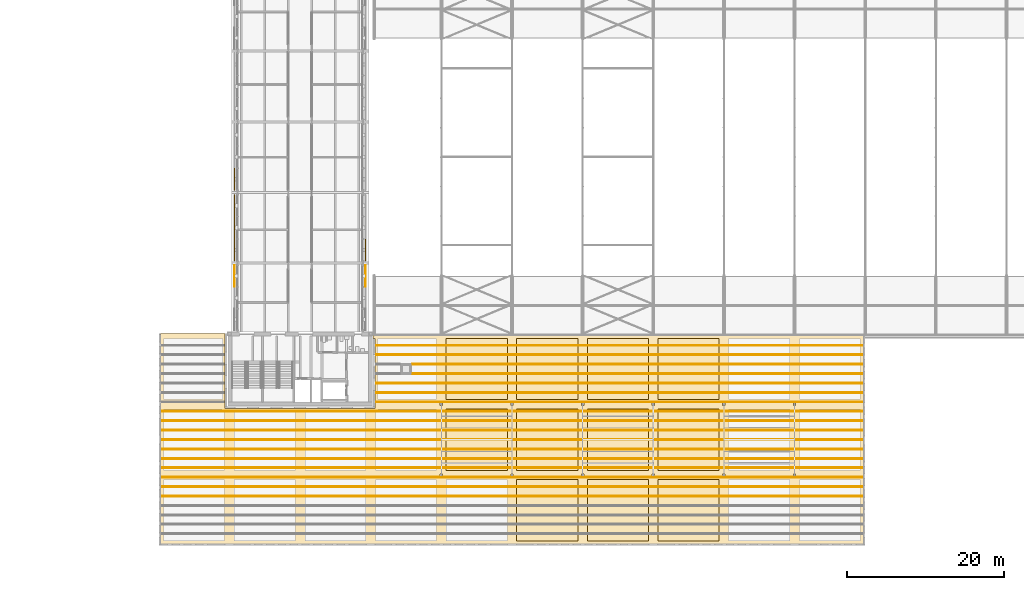
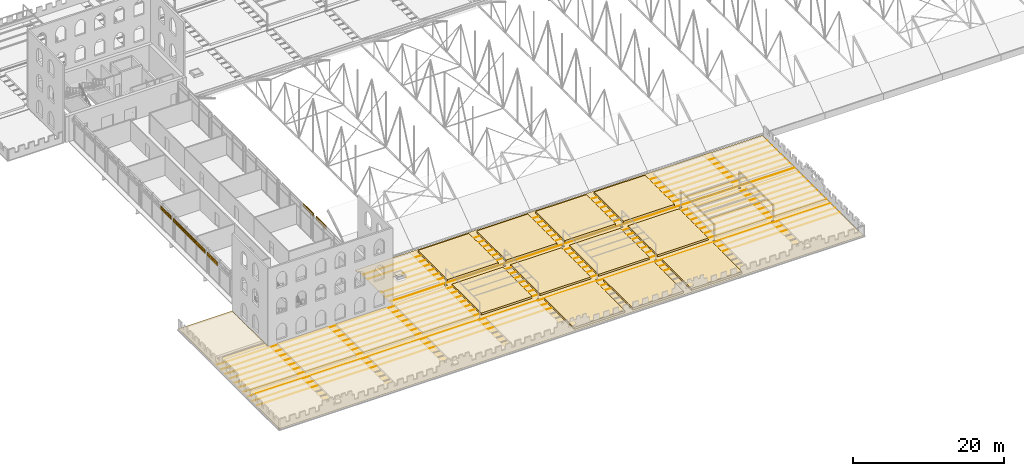
# One storey, part 138 of 153: 29 coverings, 7 shading devices.
"""IFC4 building model written with IfcOpenShell, lengths in metres."""

from ifc_helpers import new_model, si_unit, direction, frame, origin, place, context, subcontext, project, spatial, polyline, outline, extrude, material, layer, layer_set, type_object, element, save


model = new_model("IFC4")

# Units and contexts
model_context = context("Model", 3, precision=1e-05, world=origin(), true_north=direction((0.0, 1.0)))
body_context = subcontext(model_context, "Body", "Model", "MODEL_VIEW")
ifc_project = project(units=[si_unit("LENGTHUNIT", "METRE"), si_unit("AREAUNIT", "SQUARE_METRE"), si_unit("VOLUMEUNIT", "CUBIC_METRE"), si_unit("PLANEANGLEUNIT", "RADIAN"), si_unit("MASSUNIT", "GRAM", prefix="KILO")], contexts=[model_context])

# Site, building, storey
site_placement = place(None, origin())
site = spatial("IfcSite", under=ifc_project, at=site_placement, CompositionType="ELEMENT")
building_placement = place(site_placement, origin())
building = spatial("IfcBuilding", under=site, at=building_placement, Name="Baradari Gate Terminus", CompositionType="ELEMENT")
storey_placement = place(building_placement, frame((0.0, 0.0, 11.699951171875)))
storey = spatial("IfcBuildingStorey", under=building, at=storey_placement, Name="L02", CompositionType="ELEMENT", Elevation=11.699951171875)

# Shading devices
ifc_material_1 = material(Name="Concrete C50/60 precast", Category="concrete")
ifc_layer_1 = layer(ifc_material_1, 0.080078125)
ifc_layer_set_1 = layer_set([ifc_layer_1], Name="Concrete C50/60 precast")
shading_device_type = type_object("IfcShadingDeviceType", Name="Jali screen panel JS-3 80", PredefinedType="SHUTTER", material=ifc_layer_set_1)
shading_device_1_placement = place(storey_placement, frame((72.659912109375, 41.986572265625, 3.280029296875), z_axis=(0.0, 0.0, 1.0), x_axis=(0.0, 1.0, 0.0)))
element("IfcShadingDevice", 1, at=shading_device_1_placement, inside=storey, type_object=shading_device_type, Name="Jali screen panel JS-1 L02/GW1 bay 3", PredefinedType="SHUTTER", context=body_context, shape_type="SweptSolid", body=[
    extrude(outline(polyline([(0.0, 0.0), (2.723388671875, 0.0), (2.723388671875, 0.60009765625), (0.0, 0.60009765625), (0.0, 0.0)]), holes=[polyline([(0.35693359375, 0.300048828125), (0.2919921875, 0.1875), (0.161865234375, 0.1875), (0.096923828125, 0.300048828125), (0.161865234375, 0.41259765625), (0.2919921875, 0.41259765625), (0.35693359375, 0.300048828125)]), polyline([(0.810791015625, 0.300048828125), (0.745849609375, 0.1875), (0.61572265625, 0.1875), (0.55078125, 0.300048828125), (0.61572265625, 0.41259765625), (0.745849609375, 0.41259765625), (0.810791015625, 0.300048828125)]), polyline([(1.2646484375, 0.300048828125), (1.19970703125, 0.1875), (1.06982421875, 0.1875), (1.004638671875, 0.300048828125), (1.06982421875, 0.41259765625), (1.19970703125, 0.41259765625), (1.2646484375, 0.300048828125)]), polyline([(1.718505859375, 0.300048828125), (1.653564453125, 0.1875), (1.523681640625, 0.1875), (1.45849609375, 0.300048828125), (1.523681640625, 0.41259765625), (1.653564453125, 0.41259765625), (1.718505859375, 0.300048828125)]), polyline([(2.172607421875, 0.300048828125), (2.107421875, 0.1875), (1.9775390625, 0.1875), (1.91259765625, 0.300048828125), (1.9775390625, 0.41259765625), (2.107421875, 0.41259765625), (2.172607421875, 0.300048828125)]), polyline([(2.62646484375, 0.300048828125), (2.561279296875, 0.1875), (2.431396484375, 0.1875), (2.366455078125, 0.300048828125), (2.431396484375, 0.41259765625), (2.561279296875, 0.41259765625), (2.62646484375, 0.300048828125)])]), frame((0.0, 0.0400390625, 0.0), z_axis=(0.0, -1.0, 0.0), x_axis=(1.0, 0.0, 0.0)), (0.0, 0.0, 1.0), 0.080078125),
])
shading_device_2_placement = place(storey_placement, frame((72.659912109375, 45.2900390625, 3.280029296875), z_axis=(0.0, 0.0, 1.0), x_axis=(0.0, 1.0, 0.0)))
element("IfcShadingDevice", 2, at=shading_device_2_placement, inside=storey, type_object=shading_device_type, Name="Jali screen panel JS-1 L02/GW2 bay 1", PredefinedType="SHUTTER", context=body_context, shape_type="SweptSolid", body=[
    extrude(outline(polyline([(0.0, 0.0), (2.773193359375, 0.0), (2.773193359375, 0.60009765625), (0.0, 0.60009765625), (0.0, 0.0)]), holes=[polyline([(0.328125, 0.300048828125), (0.26318359375, 0.1875), (0.133056640625, 0.1875), (0.068115234375, 0.300048828125), (0.133056640625, 0.41259765625), (0.26318359375, 0.41259765625), (0.328125, 0.300048828125)]), polyline([(0.724365234375, 0.300048828125), (0.6591796875, 0.1875), (0.529296875, 0.1875), (0.46435546875, 0.300048828125), (0.529296875, 0.41259765625), (0.6591796875, 0.41259765625), (0.724365234375, 0.300048828125)]), polyline([(1.120361328125, 0.300048828125), (1.055419921875, 0.1875), (0.925537109375, 0.1875), (0.860595703125, 0.300048828125), (0.925537109375, 0.41259765625), (1.055419921875, 0.41259765625), (1.120361328125, 0.300048828125)]), polyline([(1.5166015625, 0.300048828125), (1.45166015625, 0.1875), (1.32177734375, 0.1875), (1.256591796875, 0.300048828125), (1.32177734375, 0.41259765625), (1.45166015625, 0.41259765625), (1.5166015625, 0.300048828125)]), polyline([(1.912841796875, 0.300048828125), (1.847900390625, 0.1875), (1.7177734375, 0.1875), (1.65283203125, 0.300048828125), (1.7177734375, 0.41259765625), (1.847900390625, 0.41259765625), (1.912841796875, 0.300048828125)]), polyline([(2.30908203125, 0.300048828125), (2.244140625, 0.1875), (2.114013671875, 0.1875), (2.049072265625, 0.300048828125), (2.114013671875, 0.41259765625), (2.244140625, 0.41259765625), (2.30908203125, 0.300048828125)]), polyline([(2.705322265625, 0.300048828125), (2.64013671875, 0.1875), (2.51025390625, 0.1875), (2.4453125, 0.300048828125), (2.51025390625, 0.41259765625), (2.64013671875, 0.41259765625), (2.705322265625, 0.300048828125)])]), frame((0.0, 0.0400390625, 0.0), z_axis=(0.0, -1.0, 0.0), x_axis=(1.0, 0.0, 0.0)), (0.0, 0.0, 1.0), 0.080078125),
])
shading_device_3_placement = place(storey_placement, frame((72.659912109375, 48.103271484375, 3.280029296875), z_axis=(0.0, 0.0, 1.0), x_axis=(0.0, 1.0, 0.0)))
element("IfcShadingDevice", 3, at=shading_device_3_placement, inside=storey, type_object=shading_device_type, Name="Jali screen panel JS-1 L02/GW2 bay 2", PredefinedType="SHUTTER", context=body_context, shape_type="SweptSolid", body=[
    extrude(outline(polyline([(0.0, 0.0), (2.79345703125, 0.0), (2.79345703125, 0.60009765625), (0.0, 0.60009765625), (0.0, 0.0)]), holes=[polyline([(0.32958984375, 0.300048828125), (0.264404296875, 0.1875), (0.134521484375, 0.1875), (0.069580078125, 0.300048828125), (0.134521484375, 0.41259765625), (0.264404296875, 0.41259765625), (0.32958984375, 0.300048828125)]), polyline([(0.728515625, 0.300048828125), (0.66357421875, 0.1875), (0.53369140625, 0.1875), (0.468505859375, 0.300048828125), (0.53369140625, 0.41259765625), (0.66357421875, 0.41259765625), (0.728515625, 0.300048828125)]), polyline([(1.127685546875, 0.300048828125), (1.0625, 0.1875), (0.9326171875, 0.1875), (0.86767578125, 0.300048828125), (0.9326171875, 0.41259765625), (1.0625, 0.41259765625), (1.127685546875, 0.300048828125)]), polyline([(1.526611328125, 0.300048828125), (1.461669921875, 0.1875), (1.331787109375, 0.1875), (1.2666015625, 0.300048828125), (1.331787109375, 0.41259765625), (1.461669921875, 0.41259765625), (1.526611328125, 0.300048828125)]), polyline([(1.92578125, 0.300048828125), (1.860595703125, 0.1875), (1.730712890625, 0.1875), (1.665771484375, 0.300048828125), (1.730712890625, 0.41259765625), (1.860595703125, 0.41259765625), (1.92578125, 0.300048828125)]), polyline([(2.32470703125, 0.300048828125), (2.259765625, 0.1875), (2.1298828125, 0.1875), (2.064697265625, 0.300048828125), (2.1298828125, 0.41259765625), (2.259765625, 0.41259765625), (2.32470703125, 0.300048828125)]), polyline([(2.723876953125, 0.300048828125), (2.65869140625, 0.1875), (2.52880859375, 0.1875), (2.4638671875, 0.300048828125), (2.52880859375, 0.41259765625), (2.65869140625, 0.41259765625), (2.723876953125, 0.300048828125)])]), frame((0.0, 0.0400390625, 0.0), z_axis=(0.0, -1.0, 0.0), x_axis=(1.0, 0.0, 0.0)), (0.0, 0.0, 1.0), 0.080078125),
])
shading_device_4_placement = place(storey_placement, frame((72.659912109375, 50.936767578125, 3.280029296875), z_axis=(0.0, 0.0, 1.0), x_axis=(0.0, 1.0, 0.0)))
element("IfcShadingDevice", 4, at=shading_device_4_placement, inside=storey, type_object=shading_device_type, Name="Jali screen panel JS-1 L02/GW2 bay 3", PredefinedType="SHUTTER", context=body_context, shape_type="SweptSolid", body=[
    extrude(outline(polyline([(0.0, 0.0), (2.773193359375, 0.0), (2.773193359375, 0.60009765625), (0.0, 0.60009765625), (0.0, 0.0)]), holes=[polyline([(0.328125, 0.300048828125), (0.26318359375, 0.1875), (0.133056640625, 0.1875), (0.068115234375, 0.300048828125), (0.133056640625, 0.41259765625), (0.26318359375, 0.41259765625), (0.328125, 0.300048828125)]), polyline([(0.724365234375, 0.300048828125), (0.6591796875, 0.1875), (0.529296875, 0.1875), (0.46435546875, 0.300048828125), (0.529296875, 0.41259765625), (0.6591796875, 0.41259765625), (0.724365234375, 0.300048828125)]), polyline([(1.120361328125, 0.300048828125), (1.055419921875, 0.1875), (0.925537109375, 0.1875), (0.860595703125, 0.300048828125), (0.925537109375, 0.41259765625), (1.055419921875, 0.41259765625), (1.120361328125, 0.300048828125)]), polyline([(1.5166015625, 0.300048828125), (1.45166015625, 0.1875), (1.32177734375, 0.1875), (1.256591796875, 0.300048828125), (1.32177734375, 0.41259765625), (1.45166015625, 0.41259765625), (1.5166015625, 0.300048828125)]), polyline([(1.912841796875, 0.300048828125), (1.847900390625, 0.1875), (1.7177734375, 0.1875), (1.65283203125, 0.300048828125), (1.7177734375, 0.41259765625), (1.847900390625, 0.41259765625), (1.912841796875, 0.300048828125)]), polyline([(2.30908203125, 0.300048828125), (2.244140625, 0.1875), (2.114013671875, 0.1875), (2.049072265625, 0.300048828125), (2.114013671875, 0.41259765625), (2.244140625, 0.41259765625), (2.30908203125, 0.300048828125)]), polyline([(2.705322265625, 0.300048828125), (2.64013671875, 0.1875), (2.51025390625, 0.1875), (2.4453125, 0.300048828125), (2.51025390625, 0.41259765625), (2.64013671875, 0.41259765625), (2.705322265625, 0.300048828125)])]), frame((0.0, 0.0400390625, 0.0), z_axis=(0.0, -1.0, 0.0), x_axis=(1.0, 0.0, 0.0)), (0.0, 0.0, 1.0), 0.080078125),
])
shading_device_5_placement = place(storey_placement, frame((72.659912109375, 54.2900390625, 3.280029296875), z_axis=(0.0, 0.0, 1.0), x_axis=(0.0, 1.0, 0.0)))
element("IfcShadingDevice", 5, at=shading_device_5_placement, inside=storey, type_object=shading_device_type, Name="Jali screen panel JS-1 L02/GW3 bay 1", PredefinedType="SHUTTER", context=body_context, shape_type="SweptSolid", body=[
    extrude(outline(polyline([(0.0, 0.0), (2.773193359375, 0.0), (2.773193359375, 0.60009765625), (0.0, 0.60009765625), (0.0, 0.0)]), holes=[polyline([(0.328125, 0.300048828125), (0.26318359375, 0.1875), (0.133056640625, 0.1875), (0.068115234375, 0.300048828125), (0.133056640625, 0.41259765625), (0.26318359375, 0.41259765625), (0.328125, 0.300048828125)]), polyline([(0.724365234375, 0.300048828125), (0.6591796875, 0.1875), (0.529296875, 0.1875), (0.46435546875, 0.300048828125), (0.529296875, 0.41259765625), (0.6591796875, 0.41259765625), (0.724365234375, 0.300048828125)]), polyline([(1.120361328125, 0.300048828125), (1.055419921875, 0.1875), (0.925537109375, 0.1875), (0.860595703125, 0.300048828125), (0.925537109375, 0.41259765625), (1.055419921875, 0.41259765625), (1.120361328125, 0.300048828125)]), polyline([(1.5166015625, 0.300048828125), (1.45166015625, 0.1875), (1.32177734375, 0.1875), (1.256591796875, 0.300048828125), (1.32177734375, 0.41259765625), (1.45166015625, 0.41259765625), (1.5166015625, 0.300048828125)]), polyline([(1.912841796875, 0.300048828125), (1.847900390625, 0.1875), (1.7177734375, 0.1875), (1.65283203125, 0.300048828125), (1.7177734375, 0.41259765625), (1.847900390625, 0.41259765625), (1.912841796875, 0.300048828125)]), polyline([(2.30908203125, 0.300048828125), (2.244140625, 0.1875), (2.114013671875, 0.1875), (2.049072265625, 0.300048828125), (2.114013671875, 0.41259765625), (2.244140625, 0.41259765625), (2.30908203125, 0.300048828125)]), polyline([(2.705322265625, 0.300048828125), (2.64013671875, 0.1875), (2.51025390625, 0.1875), (2.4453125, 0.300048828125), (2.51025390625, 0.41259765625), (2.64013671875, 0.41259765625), (2.705322265625, 0.300048828125)])]), frame((0.0, 0.0400390625, 0.0), z_axis=(0.0, -1.0, 0.0), x_axis=(1.0, 0.0, 0.0)), (0.0, 0.0, 1.0), 0.080078125),
])
shading_device_6_placement = place(storey_placement, frame((89.340087890625, 41.986572265625, 3.280029296875), z_axis=(0.0, 0.0, 1.0), x_axis=(0.0, 1.0, 0.0)))
element("IfcShadingDevice", 6, at=shading_device_6_placement, inside=storey, type_object=shading_device_type, Name="Jali screen panel JS-1 L02/GE1 bay 3", PredefinedType="SHUTTER", context=body_context, shape_type="SweptSolid", body=[
    extrude(outline(polyline([(0.0, 0.0), (2.723388671875, 0.0), (2.723388671875, 0.60009765625), (0.0, 0.60009765625), (0.0, 0.0)]), holes=[polyline([(0.35693359375, 0.300048828125), (0.2919921875, 0.1875), (0.161865234375, 0.1875), (0.096923828125, 0.300048828125), (0.161865234375, 0.41259765625), (0.2919921875, 0.41259765625), (0.35693359375, 0.300048828125)]), polyline([(0.810791015625, 0.300048828125), (0.745849609375, 0.1875), (0.61572265625, 0.1875), (0.55078125, 0.300048828125), (0.61572265625, 0.41259765625), (0.745849609375, 0.41259765625), (0.810791015625, 0.300048828125)]), polyline([(1.2646484375, 0.300048828125), (1.19970703125, 0.1875), (1.06982421875, 0.1875), (1.004638671875, 0.300048828125), (1.06982421875, 0.41259765625), (1.19970703125, 0.41259765625), (1.2646484375, 0.300048828125)]), polyline([(1.718505859375, 0.300048828125), (1.653564453125, 0.1875), (1.523681640625, 0.1875), (1.45849609375, 0.300048828125), (1.523681640625, 0.41259765625), (1.653564453125, 0.41259765625), (1.718505859375, 0.300048828125)]), polyline([(2.172607421875, 0.300048828125), (2.107421875, 0.1875), (1.9775390625, 0.1875), (1.91259765625, 0.300048828125), (1.9775390625, 0.41259765625), (2.107421875, 0.41259765625), (2.172607421875, 0.300048828125)]), polyline([(2.62646484375, 0.300048828125), (2.561279296875, 0.1875), (2.431396484375, 0.1875), (2.366455078125, 0.300048828125), (2.431396484375, 0.41259765625), (2.561279296875, 0.41259765625), (2.62646484375, 0.300048828125)])]), frame((0.0, 0.0400390625, 0.0), z_axis=(0.0, -1.0, 0.0), x_axis=(1.0, 0.0, 0.0)), (0.0, 0.0, 1.0), 0.080078125),
])
shading_device_7_placement = place(storey_placement, frame((89.340087890625, 45.2900390625, 3.280029296875), z_axis=(0.0, 0.0, 1.0), x_axis=(0.0, 1.0, 0.0)))
element("IfcShadingDevice", 7, at=shading_device_7_placement, inside=storey, type_object=shading_device_type, Name="Jali screen panel JS-1 L02/GE2 bay 1", PredefinedType="SHUTTER", context=body_context, shape_type="SweptSolid", body=[
    extrude(outline(polyline([(0.0, 0.0), (2.773193359375, 0.0), (2.773193359375, 0.60009765625), (0.0, 0.60009765625), (0.0, 0.0)]), holes=[polyline([(0.328125, 0.300048828125), (0.26318359375, 0.1875), (0.133056640625, 0.1875), (0.068115234375, 0.300048828125), (0.133056640625, 0.41259765625), (0.26318359375, 0.41259765625), (0.328125, 0.300048828125)]), polyline([(0.724365234375, 0.300048828125), (0.6591796875, 0.1875), (0.529296875, 0.1875), (0.46435546875, 0.300048828125), (0.529296875, 0.41259765625), (0.6591796875, 0.41259765625), (0.724365234375, 0.300048828125)]), polyline([(1.120361328125, 0.300048828125), (1.055419921875, 0.1875), (0.925537109375, 0.1875), (0.860595703125, 0.300048828125), (0.925537109375, 0.41259765625), (1.055419921875, 0.41259765625), (1.120361328125, 0.300048828125)]), polyline([(1.5166015625, 0.300048828125), (1.45166015625, 0.1875), (1.32177734375, 0.1875), (1.256591796875, 0.300048828125), (1.32177734375, 0.41259765625), (1.45166015625, 0.41259765625), (1.5166015625, 0.300048828125)]), polyline([(1.912841796875, 0.300048828125), (1.847900390625, 0.1875), (1.7177734375, 0.1875), (1.65283203125, 0.300048828125), (1.7177734375, 0.41259765625), (1.847900390625, 0.41259765625), (1.912841796875, 0.300048828125)]), polyline([(2.30908203125, 0.300048828125), (2.244140625, 0.1875), (2.114013671875, 0.1875), (2.049072265625, 0.300048828125), (2.114013671875, 0.41259765625), (2.244140625, 0.41259765625), (2.30908203125, 0.300048828125)]), polyline([(2.705322265625, 0.300048828125), (2.64013671875, 0.1875), (2.51025390625, 0.1875), (2.4453125, 0.300048828125), (2.51025390625, 0.41259765625), (2.64013671875, 0.41259765625), (2.705322265625, 0.300048828125)])]), frame((0.0, 0.0400390625, 0.0), z_axis=(0.0, -1.0, 0.0), x_axis=(1.0, 0.0, 0.0)), (0.0, 0.0, 1.0), 0.080078125),
])

# Coverings
ifc_material_2 = material(Name="Planted substrate")
ifc_layer_2 = layer(ifc_material_2, 0.35009765625)
ifc_layer_set_2 = layer_set([ifc_layer_2], Name="Planted substrate")
covering_type_1 = type_object("IfcCoveringType", Name="Planted roof bed GR-1 350", PredefinedType="USERDEFINED", material=ifc_layer_set_2)
covering_1_placement = place(storey_placement, origin())
element("IfcCovering", 8, at=covering_1_placement, inside=storey, type_object=covering_type_1, Name="RF/L02/GRS0502-1", ObjectType="PLANTED BED", PredefinedType="USERDEFINED", context=body_context, shape_type="SweptSolid", body=[
    extrude(outline(polyline([(99.60009765625, 26.39990234375), (107.39990234375, 26.39990234375), (107.39990234375, 18.60009765625), (99.60009765625, 18.60009765625), (99.60009765625, 26.39990234375)])), origin(), (0.0, 0.0, 1.0), 0.35009765625),
])
covering_2_placement = place(storey_placement, origin())
element("IfcCovering", 9, at=covering_2_placement, inside=storey, type_object=covering_type_1, Name="RF/L02/GRS0503-1", ObjectType="PLANTED BED", PredefinedType="USERDEFINED", context=body_context, shape_type="SweptSolid", body=[
    extrude(outline(polyline([(99.60009765625, 35.39990234375), (107.39990234375, 35.39990234375), (107.39990234375, 27.60009765625), (99.60009765625, 27.60009765625), (99.60009765625, 35.39990234375)])), origin(), (0.0, 0.0, 1.0), 0.35009765625),
])
covering_3_placement = place(storey_placement, origin())
element("IfcCovering", 10, at=covering_3_placement, inside=storey, type_object=covering_type_1, Name="RF/L02/GRS0601-1", ObjectType="PLANTED BED", PredefinedType="USERDEFINED", context=body_context, shape_type="SweptSolid", body=[
    extrude(outline(polyline([(108.60009765625, 17.39990234375), (116.39990234375, 17.39990234375), (116.39990234375, 9.60009765625), (108.60009765625, 9.60009765625), (108.60009765625, 17.39990234375)])), origin(), (0.0, 0.0, 1.0), 0.35009765625),
])
covering_4_placement = place(storey_placement, origin())
element("IfcCovering", 11, at=covering_4_placement, inside=storey, type_object=covering_type_1, Name="RF/L02/GRS0602-1", ObjectType="PLANTED BED", PredefinedType="USERDEFINED", context=body_context, shape_type="SweptSolid", body=[
    extrude(outline(polyline([(108.60009765625, 26.39990234375), (116.39990234375, 26.39990234375), (116.39990234375, 18.60009765625), (108.60009765625, 18.60009765625), (108.60009765625, 26.39990234375)])), origin(), (0.0, 0.0, 1.0), 0.35009765625),
])
covering_5_placement = place(storey_placement, origin())
element("IfcCovering", 12, at=covering_5_placement, inside=storey, type_object=covering_type_1, Name="RF/L02/GRS0603-1", ObjectType="PLANTED BED", PredefinedType="USERDEFINED", context=body_context, shape_type="SweptSolid", body=[
    extrude(outline(polyline([(108.60009765625, 35.39990234375), (116.39990234375, 35.39990234375), (116.39990234375, 27.60009765625), (108.60009765625, 27.60009765625), (108.60009765625, 35.39990234375)])), origin(), (0.0, 0.0, 1.0), 0.35009765625),
])
covering_6_placement = place(storey_placement, origin())
element("IfcCovering", 13, at=covering_6_placement, inside=storey, type_object=covering_type_1, Name="RF/L02/GRS0701-1", ObjectType="PLANTED BED", PredefinedType="USERDEFINED", context=body_context, shape_type="SweptSolid", body=[
    extrude(outline(polyline([(117.60009765625, 17.39990234375), (125.39990234375, 17.39990234375), (125.39990234375, 9.60009765625), (117.60009765625, 9.60009765625), (117.60009765625, 17.39990234375)])), origin(), (0.0, 0.0, 1.0), 0.35009765625),
])
covering_7_placement = place(storey_placement, origin())
element("IfcCovering", 14, at=covering_7_placement, inside=storey, type_object=covering_type_1, Name="RF/L02/GRS0702-1", ObjectType="PLANTED BED", PredefinedType="USERDEFINED", context=body_context, shape_type="SweptSolid", body=[
    extrude(outline(polyline([(117.60009765625, 26.39990234375), (125.39990234375, 26.39990234375), (125.39990234375, 18.60009765625), (117.60009765625, 18.60009765625), (117.60009765625, 26.39990234375)])), origin(), (0.0, 0.0, 1.0), 0.35009765625),
])
covering_8_placement = place(storey_placement, origin())
element("IfcCovering", 15, at=covering_8_placement, inside=storey, type_object=covering_type_1, Name="RF/L02/GRS0703-1", ObjectType="PLANTED BED", PredefinedType="USERDEFINED", context=body_context, shape_type="SweptSolid", body=[
    extrude(outline(polyline([(117.60009765625, 35.39990234375), (125.39990234375, 35.39990234375), (125.39990234375, 27.60009765625), (117.60009765625, 27.60009765625), (117.60009765625, 35.39990234375)])), origin(), (0.0, 0.0, 1.0), 0.35009765625),
])
covering_9_placement = place(storey_placement, origin())
element("IfcCovering", 16, at=covering_9_placement, inside=storey, type_object=covering_type_1, Name="RF/L02/GRS0801-1", ObjectType="PLANTED BED", PredefinedType="USERDEFINED", context=body_context, shape_type="SweptSolid", body=[
    extrude(outline(polyline([(126.60009765625, 17.39990234375), (134.39990234375, 17.39990234375), (134.39990234375, 9.60009765625), (126.60009765625, 9.60009765625), (126.60009765625, 17.39990234375)])), origin(), (0.0, 0.0, 1.0), 0.35009765625),
])
covering_10_placement = place(storey_placement, origin())
element("IfcCovering", 17, at=covering_10_placement, inside=storey, type_object=covering_type_1, Name="RF/L02/GRS0802-1", ObjectType="PLANTED BED", PredefinedType="USERDEFINED", context=body_context, shape_type="SweptSolid", body=[
    extrude(outline(polyline([(126.60009765625, 26.39990234375), (134.39990234375, 26.39990234375), (134.39990234375, 18.60009765625), (126.60009765625, 18.60009765625), (126.60009765625, 26.39990234375)])), origin(), (0.0, 0.0, 1.0), 0.35009765625),
])
covering_11_placement = place(storey_placement, origin())
element("IfcCovering", 18, at=covering_11_placement, inside=storey, type_object=covering_type_1, Name="RF/L02/GRS0803-1", ObjectType="PLANTED BED", PredefinedType="USERDEFINED", context=body_context, shape_type="SweptSolid", body=[
    extrude(outline(polyline([(126.60009765625, 35.39990234375), (134.39990234375, 35.39990234375), (134.39990234375, 27.60009765625), (126.60009765625, 27.60009765625), (126.60009765625, 35.39990234375)])), origin(), (0.0, 0.0, 1.0), 0.35009765625),
])
ifc_material_3 = material(Name="Terracotta paving", Category="masonry")
ifc_layer_3 = layer(ifc_material_3, 0.030029296875)
ifc_layer_set_3 = layer_set([ifc_layer_3], Name="Terracotta paving")
covering_type_2 = type_object("IfcCoveringType", Name="Terracotta paving RP-1 30", PredefinedType="FLOORING", material=ifc_layer_set_3)
covering_12_placement = place(storey_placement, origin())
element("IfcCovering", 19, at=covering_12_placement, inside=storey, type_object=covering_type_2, Name="Terracotta paving RP-1 south-roof", PredefinedType="FLOORING", context=body_context, shape_type="SweptSolid", body=[
    extrude(outline(polyline([(63.22509765625, 36.0), (71.449951171875, 36.0), (71.449951171875, 26.449951171875), (90.550048828125, 26.449951171875), (90.550048828125, 35.39990234375), (90.300048828125, 35.39990234375), (90.300048828125, 36.0), (152.77490234375, 36.0), (152.77490234375, 9.22509765625), (63.22509765625, 9.22509765625), (63.22509765625, 36.0)]), holes=[polyline([(143.85009765625, 18.14990234375), (143.85009765625, 17.85009765625), (144.14990234375, 17.85009765625), (144.14990234375, 18.14990234375), (143.85009765625, 18.14990234375)]), polyline([(143.85009765625, 27.14990234375), (143.85009765625, 26.85009765625), (144.14990234375, 26.85009765625), (144.14990234375, 27.14990234375), (143.85009765625, 27.14990234375)]), polyline([(134.85009765625, 18.14990234375), (134.85009765625, 17.85009765625), (135.14990234375, 17.85009765625), (135.14990234375, 18.14990234375), (134.85009765625, 18.14990234375)]), polyline([(134.85009765625, 26.85009765625), (135.14990234375, 26.85009765625), (135.14990234375, 27.14990234375), (134.85009765625, 27.14990234375), (134.85009765625, 26.85009765625)]), polyline([(125.85009765625, 18.14990234375), (125.85009765625, 17.85009765625), (126.14990234375, 17.85009765625), (126.14990234375, 18.14990234375), (125.85009765625, 18.14990234375)]), polyline([(125.85009765625, 27.14990234375), (125.85009765625, 26.85009765625), (126.14990234375, 26.85009765625), (126.14990234375, 27.14990234375), (125.85009765625, 27.14990234375)]), polyline([(116.85009765625, 17.85009765625), (117.14990234375, 17.85009765625), (117.14990234375, 18.14990234375), (116.85009765625, 18.14990234375), (116.85009765625, 17.85009765625)]), polyline([(116.85009765625, 27.14990234375), (116.85009765625, 26.85009765625), (117.14990234375, 26.85009765625), (117.14990234375, 27.14990234375), (116.85009765625, 27.14990234375)]), polyline([(107.85009765625, 18.14990234375), (107.85009765625, 17.85009765625), (108.14990234375, 17.85009765625), (108.14990234375, 18.14990234375), (107.85009765625, 18.14990234375)]), polyline([(107.85009765625, 26.85009765625), (108.14990234375, 26.85009765625), (108.14990234375, 27.14990234375), (107.85009765625, 27.14990234375), (107.85009765625, 26.85009765625)]), polyline([(98.85009765625, 17.85009765625), (99.14990234375, 17.85009765625), (99.14990234375, 18.14990234375), (98.85009765625, 18.14990234375), (98.85009765625, 17.85009765625)]), polyline([(98.85009765625, 27.14990234375), (98.85009765625, 26.85009765625), (99.14990234375, 26.85009765625), (99.14990234375, 27.14990234375), (98.85009765625, 27.14990234375)]), polyline([(93.85009765625, 30.85009765625), (95.14990234375, 30.85009765625), (95.14990234375, 32.14990234375), (93.85009765625, 32.14990234375), (93.85009765625, 30.85009765625)])]), origin(), (0.0, 0.0, 1.0), 0.030029296875),
])
ifc_material_4 = material(Name="Terracotta paving", Category="masonry")
ifc_layer_4 = layer(ifc_material_4, 0.050048828125)
ifc_layer_set_4 = layer_set([ifc_layer_4], Name="Terracotta paving")
covering_type_3 = type_object("IfcCoveringType", Name="Terracotta tile course RP-2 50", PredefinedType="FLOORING", material=ifc_layer_set_4)
covering_13_placement = place(storey_placement, frame((0.0, 0.0, 0.030029296875)))
element("IfcCovering", 20, at=covering_13_placement, inside=storey, type_object=covering_type_3, Name="Terracotta tile course RP-2 south-roof", PredefinedType="FLOORING", context=body_context, shape_type="SweptSolid", body=[
    extrude(outline(polyline([(152.625, 15.239990234375), (152.625, 15.360107421875), (63.375, 15.360107421875), (63.375, 15.239990234375), (152.625, 15.239990234375)])), origin(), (0.0, 0.0, 1.0), 0.050048828125),
])
covering_14_placement = place(storey_placement, frame((0.0, 0.0, 0.030029296875)))
element("IfcCovering", 21, at=covering_14_placement, inside=storey, type_object=covering_type_3, Name="Terracotta tile course RP-2 south-roof", PredefinedType="FLOORING", context=body_context, shape_type="SweptSolid", body=[
    extrude(outline(polyline([(152.625, 16.43994140625), (152.625, 16.56005859375), (63.375, 16.56005859375), (63.375, 16.43994140625), (152.625, 16.43994140625)])), origin(), (0.0, 0.0, 1.0), 0.050048828125),
])
covering_15_placement = place(storey_placement, frame((0.0, 0.0, 0.030029296875)))
element("IfcCovering", 22, at=covering_15_placement, inside=storey, type_object=covering_type_3, Name="Terracotta tile course RP-2 south-roof", PredefinedType="FLOORING", context=body_context, shape_type="SweptSolid", body=[
    extrude(outline(polyline([(152.625, 17.639892578125), (152.625, 17.760009765625), (63.375, 17.760009765625), (63.375, 17.639892578125), (152.625, 17.639892578125)])), origin(), (0.0, 0.0, 1.0), 0.050048828125),
])
covering_16_placement = place(storey_placement, frame((0.0, 0.0, 0.030029296875)))
element("IfcCovering", 23, at=covering_16_placement, inside=storey, type_object=covering_type_3, Name="Terracotta tile course RP-2 south-roof", PredefinedType="FLOORING", context=body_context, shape_type="SweptSolid", body=[
    extrude(outline(polyline([(152.625, 18.840087890625), (152.625, 18.9599609375), (63.375, 18.9599609375), (63.375, 18.840087890625), (152.625, 18.840087890625)])), origin(), (0.0, 0.0, 1.0), 0.050048828125),
])
covering_17_placement = place(storey_placement, frame((0.0, 0.0, 0.030029296875)))
element("IfcCovering", 24, at=covering_17_placement, inside=storey, type_object=covering_type_3, Name="Terracotta tile course RP-2 south-roof", PredefinedType="FLOORING", context=body_context, shape_type="SweptSolid", body=[
    extrude(outline(polyline([(152.625, 20.0400390625), (152.625, 20.159912109375), (63.375, 20.159912109375), (63.375, 20.0400390625), (152.625, 20.0400390625)])), origin(), (0.0, 0.0, 1.0), 0.050048828125),
])
covering_18_placement = place(storey_placement, frame((0.0, 0.0, 0.030029296875)))
element("IfcCovering", 25, at=covering_18_placement, inside=storey, type_object=covering_type_3, Name="Terracotta tile course RP-2 south-roof", PredefinedType="FLOORING", context=body_context, shape_type="SweptSolid", body=[
    extrude(outline(polyline([(152.625, 21.239990234375), (152.625, 21.360107421875), (63.375, 21.360107421875), (63.375, 21.239990234375), (152.625, 21.239990234375)])), origin(), (0.0, 0.0, 1.0), 0.050048828125),
])
covering_19_placement = place(storey_placement, frame((0.0, 0.0, 0.030029296875)))
element("IfcCovering", 26, at=covering_19_placement, inside=storey, type_object=covering_type_3, Name="Terracotta tile course RP-2 south-roof", PredefinedType="FLOORING", context=body_context, shape_type="SweptSolid", body=[
    extrude(outline(polyline([(152.625, 22.43994140625), (152.625, 22.56005859375), (63.375, 22.56005859375), (63.375, 22.43994140625), (152.625, 22.43994140625)])), origin(), (0.0, 0.0, 1.0), 0.050048828125),
])
covering_20_placement = place(storey_placement, frame((0.0, 0.0, 0.030029296875)))
element("IfcCovering", 27, at=covering_20_placement, inside=storey, type_object=covering_type_3, Name="Terracotta tile course RP-2 south-roof", PredefinedType="FLOORING", context=body_context, shape_type="SweptSolid", body=[
    extrude(outline(polyline([(152.625, 23.639892578125), (152.625, 23.760009765625), (63.375, 23.760009765625), (63.375, 23.639892578125), (152.625, 23.639892578125)])), origin(), (0.0, 0.0, 1.0), 0.050048828125),
])
covering_21_placement = place(storey_placement, frame((0.0, 0.0, 0.030029296875)))
element("IfcCovering", 28, at=covering_21_placement, inside=storey, type_object=covering_type_3, Name="Terracotta tile course RP-2 south-roof", PredefinedType="FLOORING", context=body_context, shape_type="SweptSolid", body=[
    extrude(outline(polyline([(152.625, 24.840087890625), (152.625, 24.9599609375), (63.375, 24.9599609375), (63.375, 24.840087890625), (152.625, 24.840087890625)])), origin(), (0.0, 0.0, 1.0), 0.050048828125),
])
covering_22_placement = place(storey_placement, frame((0.0, 0.0, 0.030029296875)))
element("IfcCovering", 29, at=covering_22_placement, inside=storey, type_object=covering_type_3, Name="Terracotta tile course RP-2 south-roof", PredefinedType="FLOORING", context=body_context, shape_type="SweptSolid", body=[
    extrude(outline(polyline([(152.625, 26.0400390625), (152.625, 26.159912109375), (63.375, 26.159912109375), (63.375, 26.0400390625), (152.625, 26.0400390625)])), origin(), (0.0, 0.0, 1.0), 0.050048828125),
])
covering_23_placement = place(storey_placement, frame((0.0, 0.0, 0.030029296875)))
element("IfcCovering", 30, at=covering_23_placement, inside=storey, type_object=covering_type_3, Name="Terracotta tile course RP-2 south-roof", PredefinedType="FLOORING", context=body_context, shape_type="SweptSolid", body=[
    extrude(outline(polyline([(152.625, 27.239990234375), (152.625, 27.360107421875), (90.699951171875, 27.360107421875), (90.699951171875, 27.239990234375), (152.625, 27.239990234375)])), origin(), (0.0, 0.0, 1.0), 0.050048828125),
])
covering_24_placement = place(storey_placement, frame((0.0, 0.0, 0.030029296875)))
element("IfcCovering", 31, at=covering_24_placement, inside=storey, type_object=covering_type_3, Name="Terracotta tile course RP-2 south-roof", PredefinedType="FLOORING", context=body_context, shape_type="SweptSolid", body=[
    extrude(outline(polyline([(152.625, 28.43994140625), (152.625, 28.56005859375), (90.699951171875, 28.56005859375), (90.699951171875, 28.43994140625), (152.625, 28.43994140625)])), origin(), (0.0, 0.0, 1.0), 0.050048828125),
])
covering_25_placement = place(storey_placement, frame((0.0, 0.0, 0.030029296875)))
element("IfcCovering", 32, at=covering_25_placement, inside=storey, type_object=covering_type_3, Name="Terracotta tile course RP-2 south-roof", PredefinedType="FLOORING", context=body_context, shape_type="SweptSolid", body=[
    extrude(outline(polyline([(152.625, 29.639892578125), (152.625, 29.760009765625), (90.699951171875, 29.760009765625), (90.699951171875, 29.639892578125), (152.625, 29.639892578125)])), origin(), (0.0, 0.0, 1.0), 0.050048828125),
])
covering_26_placement = place(storey_placement, frame((0.0, 0.0, 0.030029296875)))
element("IfcCovering", 33, at=covering_26_placement, inside=storey, type_object=covering_type_3, Name="Terracotta tile course RP-2 south-roof", PredefinedType="FLOORING", context=body_context, shape_type="SweptSolid", body=[
    extrude(outline(polyline([(152.625, 30.840087890625), (152.625, 30.9599609375), (95.299560546875, 30.9599609375), (95.299560546875, 30.840087890625), (152.625, 30.840087890625)])), origin(), (0.0, 0.0, 1.0), 0.050048828125),
])
covering_27_placement = place(storey_placement, frame((0.0, 0.0, 0.030029296875)))
element("IfcCovering", 34, at=covering_27_placement, inside=storey, type_object=covering_type_3, Name="Terracotta tile course RP-2 south-roof", PredefinedType="FLOORING", context=body_context, shape_type="SweptSolid", body=[
    extrude(outline(polyline([(152.625, 32.0400390625), (152.625, 32.159912109375), (95.299560546875, 32.159912109375), (95.299560546875, 32.0400390625), (152.625, 32.0400390625)])), origin(), (0.0, 0.0, 1.0), 0.050048828125),
])
covering_28_placement = place(storey_placement, frame((0.0, 0.0, 0.030029296875)))
element("IfcCovering", 35, at=covering_28_placement, inside=storey, type_object=covering_type_3, Name="Terracotta tile course RP-2 south-roof", PredefinedType="FLOORING", context=body_context, shape_type="SweptSolid", body=[
    extrude(outline(polyline([(152.625, 33.239990234375), (152.625, 33.360107421875), (90.699951171875, 33.360107421875), (90.699951171875, 33.239990234375), (152.625, 33.239990234375)])), origin(), (0.0, 0.0, 1.0), 0.050048828125),
])
covering_29_placement = place(storey_placement, frame((0.0, 0.0, 0.030029296875)))
element("IfcCovering", 36, at=covering_29_placement, inside=storey, type_object=covering_type_3, Name="Terracotta tile course RP-2 south-roof", PredefinedType="FLOORING", context=body_context, shape_type="SweptSolid", body=[
    extrude(outline(polyline([(152.625, 34.43994140625), (152.625, 34.56005859375), (90.699951171875, 34.56005859375), (90.699951171875, 34.43994140625), (152.625, 34.43994140625)])), origin(), (0.0, 0.0, 1.0), 0.050048828125),
])

save(model, "model.ifc")
